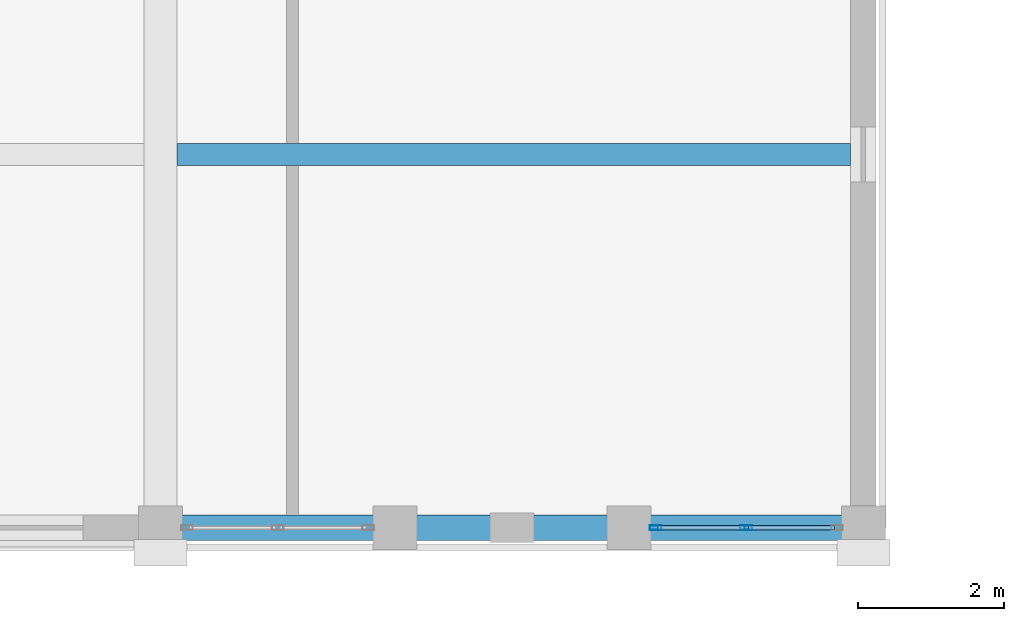
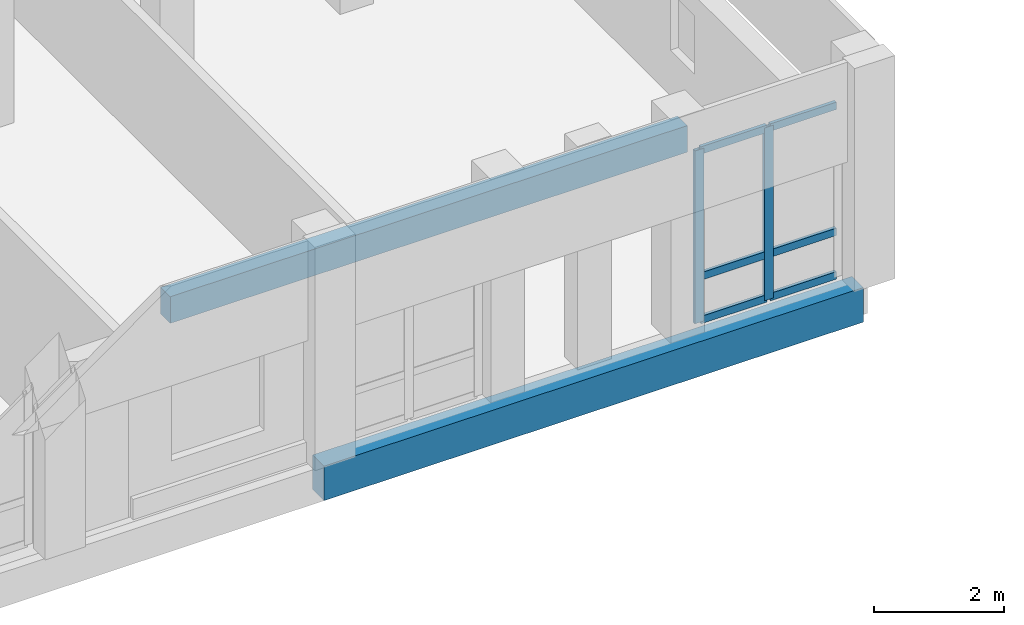
# One storey, part 15 of 93: 8 members, 2 beams, 1 element without a shape of its own.
"""IFC4 building model written with IfcOpenShell, lengths in metres."""

from ifc_helpers import new_model, si_unit, direction, frame, origin, origin_2d, place, context, subcontext, project, spatial, rectangle, hollow_rectangle, extrude, material, material_profile, profile_set, type_object, element, aggregate, save


model = new_model("IFC4")

# Units and contexts
model_context = context("Model", 3, precision=1e-05, world=origin(), true_north=direction((0.0, 1.0)))
body_context = subcontext(model_context, "Body", "Model", "MODEL_VIEW")
ifc_project = project(units=[si_unit("LENGTHUNIT", "METRE"), si_unit("AREAUNIT", "SQUARE_METRE"), si_unit("VOLUMEUNIT", "CUBIC_METRE"), si_unit("PLANEANGLEUNIT", "RADIAN"), si_unit("MASSUNIT", "GRAM", prefix="KILO")], contexts=[model_context])

# Site, building, storey
site_placement = place(None, origin())
site = spatial("IfcSite", under=ifc_project, at=site_placement, CompositionType="ELEMENT")
building_placement = place(site_placement, origin())
building = spatial("IfcBuilding", under=site, at=building_placement, Name="Vondelvale Polytechnic", CompositionType="ELEMENT")
storey_placement = place(building_placement, frame((0.0, 0.0, 18.0)))
storey = spatial("IfcBuildingStorey", under=building, at=storey_placement, Name="L04", CompositionType="ELEMENT", Elevation=18.0)

# Curtain wall, members
ifc_material_1 = material(Name="Anodised extruded aluminium 6063-T6", Category="aluminium")
curtain_wall_type = type_object("IfcCurtainWallType", Name="CW-LIBRARY-BAY", PredefinedType="NOTDEFINED", material=ifc_material_1)
curtain_wall_placement = place(storey_placement, origin())
curtain_wall = element("IfcCurtainWall", 1, at=curtain_wall_placement, inside=storey, type_object=curtain_wall_type, Name="L04 architectural curtain wall CW-02-036", PredefinedType="NOTDEFINED")
ifc_material_profile_1 = material_profile(ifc_material_1, hollow_rectangle(XDim=0.06494140625, YDim=0.159912109375, WallThickness=0.0048828125, at=origin_2d()), Name="CW-MUL-160x65")
ifc_profile_set_1 = profile_set([ifc_material_profile_1], Name="Anodised extruded aluminium 6063-T6")
member_type_1 = type_object("IfcMemberType", Name="CW-MUL-65x160", PredefinedType="MULLION", material=ifc_profile_set_1)
member_1_placement = place(storey_placement, frame((45.16259765625, 0.0, 0.0), z_axis=(0.0, 0.0, 1.0), x_axis=(0.0, 1.0, 0.0)))
member_1 = element("IfcMember", 2, at=member_1_placement, type_object=member_type_1, Name="CW-02-036 mullion 1", PredefinedType="MULLION", context=body_context, shape_type="SweptSolid", body=[
    extrude(hollow_rectangle(XDim=0.06494140625, YDim=0.159912109375, WallThickness=0.0048828125, at=origin_2d()), origin(), (0.0, 0.0, 1.0), 3.25),
])
member_2_placement = place(storey_placement, frame((46.39990234375, 0.0, 0.0), z_axis=(0.0, 0.0, 1.0), x_axis=(0.0, 1.0, 0.0)))
member_2 = element("IfcMember", 3, at=member_2_placement, type_object=member_type_1, Name="CW-02-036 mullion 2", PredefinedType="MULLION", context=body_context, shape_type="SweptSolid", body=[
    extrude(hollow_rectangle(XDim=0.06494140625, YDim=0.159912109375, WallThickness=0.0048828125, at=origin_2d()), origin(), (0.0, 0.0, 1.0), 3.25),
])
ifc_material_profile_2 = material_profile(ifc_material_1, hollow_rectangle(XDim=0.06005859375, YDim=0.139892578125, WallThickness=0.00341796875, at=origin_2d()), Name="CW-TRN-140x60")
ifc_profile_set_2 = profile_set([ifc_material_profile_2], Name="Anodised extruded aluminium 6063-T6")
member_type_2 = type_object("IfcMemberType", Name="CW-TRN-60x140", PredefinedType="USERDEFINED", material=ifc_profile_set_2)
member_3_placement = place(storey_placement, frame((45.195068359375, 0.0, 0.030029296875), z_axis=(1.0, 0.0, 0.0), x_axis=(0.0, 1.0, 0.0)))
member_3 = element("IfcMember", 4, at=member_3_placement, type_object=member_type_2, Name="CW-02-036 transom 1.1", ObjectType="TRANSOM", PredefinedType="USERDEFINED", context=body_context, shape_type="SweptSolid", body=[
    extrude(hollow_rectangle(XDim=0.06005859375, YDim=0.139892578125, WallThickness=0.00341796875, at=origin_2d()), origin(), (0.0, 0.0, 1.0), 1.17236328125),
])
member_4_placement = place(storey_placement, frame((45.195068359375, 0.0, 0.85009765625), z_axis=(1.0, 0.0, 0.0), x_axis=(0.0, 1.0, 0.0)))
member_4 = element("IfcMember", 5, at=member_4_placement, type_object=member_type_2, Name="CW-02-036 transom 1.2", ObjectType="TRANSOM", PredefinedType="USERDEFINED", context=body_context, shape_type="SweptSolid", body=[
    extrude(hollow_rectangle(XDim=0.06005859375, YDim=0.139892578125, WallThickness=0.00341796875, at=origin_2d()), origin(), (0.0, 0.0, 1.0), 1.17236328125),
])
member_5_placement = place(storey_placement, frame((45.195068359375, 0.0, 3.219970703125), z_axis=(1.0, 0.0, 0.0), x_axis=(0.0, 1.0, 0.0)))
member_5 = element("IfcMember", 6, at=member_5_placement, type_object=member_type_2, Name="CW-02-036 transom 1.3", ObjectType="TRANSOM", PredefinedType="USERDEFINED", context=body_context, shape_type="SweptSolid", body=[
    extrude(hollow_rectangle(XDim=0.06005859375, YDim=0.139892578125, WallThickness=0.00341796875, at=origin_2d()), origin(), (0.0, 0.0, 1.0), 1.17236328125),
])
member_6_placement = place(storey_placement, frame((46.4326171875, 0.0, 0.030029296875), z_axis=(1.0, 0.0, 0.0), x_axis=(0.0, 1.0, 0.0)))
member_6 = element("IfcMember", 7, at=member_6_placement, type_object=member_type_2, Name="CW-02-036 transom 2.1", ObjectType="TRANSOM", PredefinedType="USERDEFINED", context=body_context, shape_type="SweptSolid", body=[
    extrude(hollow_rectangle(XDim=0.06005859375, YDim=0.139892578125, WallThickness=0.00341796875, at=origin_2d()), origin(), (0.0, 0.0, 1.0), 1.17236328125),
])
member_7_placement = place(storey_placement, frame((46.4326171875, 0.0, 0.85009765625), z_axis=(1.0, 0.0, 0.0), x_axis=(0.0, 1.0, 0.0)))
member_7 = element("IfcMember", 8, at=member_7_placement, type_object=member_type_2, Name="CW-02-036 transom 2.2", ObjectType="TRANSOM", PredefinedType="USERDEFINED", context=body_context, shape_type="SweptSolid", body=[
    extrude(hollow_rectangle(XDim=0.06005859375, YDim=0.139892578125, WallThickness=0.00341796875, at=origin_2d()), origin(), (0.0, 0.0, 1.0), 1.17236328125),
])
member_8_placement = place(storey_placement, frame((46.4326171875, 0.0, 3.219970703125), z_axis=(1.0, 0.0, 0.0), x_axis=(0.0, 1.0, 0.0)))
member_8 = element("IfcMember", 9, at=member_8_placement, type_object=member_type_2, Name="CW-02-036 transom 2.3", ObjectType="TRANSOM", PredefinedType="USERDEFINED", context=body_context, shape_type="SweptSolid", body=[
    extrude(hollow_rectangle(XDim=0.06005859375, YDim=0.139892578125, WallThickness=0.00341796875, at=origin_2d()), origin(), (0.0, 0.0, 1.0), 1.17236328125),
])
aggregate(curtain_wall, [member_1, member_2, member_3, member_4, member_5, member_6, member_7, member_8])

# Beams
ifc_material_2 = material(Name="Concrete N40 (f'c = 40 MPa)", Category="concrete")
ifc_material_profile_3 = material_profile(ifc_material_2, rectangle(XDim=0.300048828125, YDim=0.5, at=origin_2d()), Name="RC-JST-300x500")
ifc_profile_set_3 = profile_set([ifc_material_profile_3], Name="Concrete N40 (f'c = 40 MPa)")
beam_type_1 = type_object("IfcBeamType", Name="JST-RC300x500", PredefinedType="JOIST", material=ifc_profile_set_3)
beam_1_placement = place(storey_placement, frame((38.625, 5.10009765625, -0.5), z_axis=(1.0, 0.0, 0.0), x_axis=(0.0, 1.0, 0.0)))
element("IfcBeam", 10, at=beam_1_placement, inside=storey, type_object=beam_type_1, Name="L04 J J-02", PredefinedType="JOIST", context=body_context, shape_type="SweptSolid", body=[
    extrude(rectangle(XDim=0.300048828125, YDim=0.5, at=origin_2d()), origin(), (0.0, 0.0, 1.0), 9.199951171875),
])
ifc_material_3 = material(Name="Precast concrete N40 (f'c = 40 MPa)", Category="concrete")
ifc_material_profile_4 = material_profile(ifc_material_3, rectangle(XDim=0.35009765625, YDim=0.64990234375, at=origin_2d()), Name="RC-SPN-350x650")
ifc_profile_set_4 = profile_set([ifc_material_profile_4], Name="Precast concrete N40 (f'c = 40 MPa)")
beam_type_2 = type_object("IfcBeamType", Name="SPN-PRE350x650", PredefinedType="SPANDREL", material=ifc_profile_set_4)
beam_2_placement = place(storey_placement, frame((38.39990234375, 0.0, -0.574951171875), z_axis=(1.0, 0.0, 0.0), x_axis=(0.0, 1.0, 0.0)))
element("IfcBeam", 11, at=beam_2_placement, inside=storey, type_object=beam_type_2, Name="L04 B SP-02", PredefinedType="SPANDREL", context=body_context, shape_type="SweptSolid", body=[
    extrude(rectangle(XDim=0.35009765625, YDim=0.64990234375, at=origin_2d()), origin(), (0.0, 0.0, 1.0), 9.60009765625),
])

save(model, "model.ifc")
